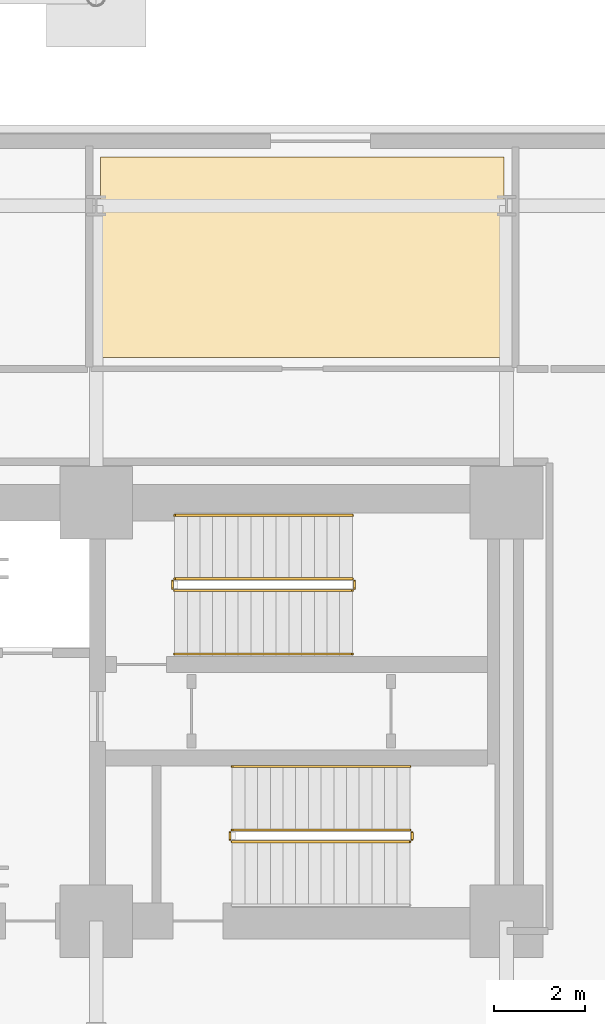
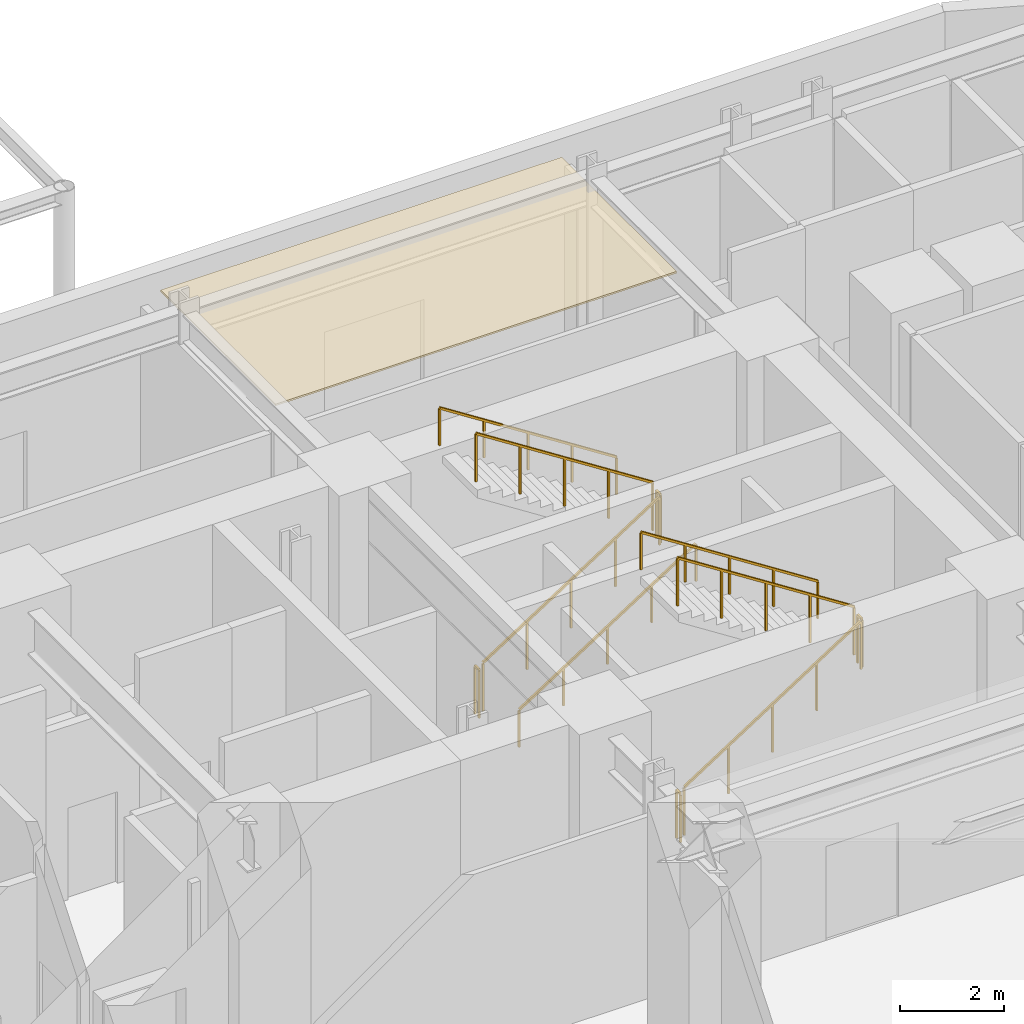
# One storey, part 19 of 21: 11 railings, 1 covering.
"""IFC4 building model written with IfcOpenShell, lengths in metres."""

from ifc_helpers import new_model, si_unit, direction, frame, origin, origin_2d, place, context, subcontext, project, spatial, polyline, rectangle, outline, extrude, material, layer, layer_set, type_object, element, save


model = new_model("IFC4")

# Units and contexts
model_context = context("Model", 3, precision=1e-05, world=origin(), true_north=direction((0.0, 1.0)))
body_context = subcontext(model_context, "Body", "Model", "MODEL_VIEW")
ifc_project = project(units=[si_unit("LENGTHUNIT", "METRE"), si_unit("AREAUNIT", "SQUARE_METRE"), si_unit("VOLUMEUNIT", "CUBIC_METRE"), si_unit("PLANEANGLEUNIT", "RADIAN"), si_unit("MASSUNIT", "GRAM", prefix="KILO")], contexts=[model_context])

# Site, building, storey
site_placement = place(None, origin())
site = spatial("IfcSite", under=ifc_project, at=site_placement, CompositionType="ELEMENT")
building_placement = place(site_placement, origin())
building = spatial("IfcBuilding", under=site, at=building_placement, Name="Zarnavel Station Tower", CompositionType="ELEMENT")
storey_placement = place(building_placement, origin())
storey = spatial("IfcBuildingStorey", under=building, at=storey_placement, Name="L01", CompositionType="ELEMENT", Elevation=0.0)

# Covering
ifc_material_1 = material(Name="Perforated Gypsum and Mineral-Wool Acoustic Ceiling", Category="concrete")
ifc_layer = layer(ifc_material_1, 0.0400390625)
ifc_layer_set = layer_set([ifc_layer], Name="COV_CEIL_ACOUSTIC")
covering_type = type_object("IfcCoveringType", Name="COV_CEIL_ACOUSTIC", PredefinedType="CEILING", material=ifc_layer_set)
covering_placement = place(storey_placement, frame((0.0, 0.0, 4.780029296875)))
element("IfcCovering", 1, at=covering_placement, inside=storey, type_object=covering_type, Name="L01 SEC Acoustic Ceiling", PredefinedType="CEILING", context=body_context, shape_type="SweptSolid", body=[
    extrude(outline(polyline([(36.449951171875, 40.25), (45.35009765625, 40.25), (45.35009765625, 44.669921875), (36.449951171875, 44.669921875), (36.449951171875, 40.25)])), origin(), (0.0, 0.0, 1.0), 0.0400390625),
])

# Railings
ifc_material_2 = material(Name="Painted Steel S355J2 Balustrade", Category="steel")
railing_type_1 = type_object("IfcRailingType", Name="GR_INT_1150", PredefinedType="GUARDRAIL", material=ifc_material_2)
railing_1_placement = place(storey_placement, frame((38.080078125, 35.110107421875, 0.179931640625)))
element("IfcRailing", 2, at=railing_1_placement, inside=storey, type_object=railing_type_1, Name="L01 ST2 stair guard 1", PredefinedType="GUARDRAIL", context=body_context, shape_type="SweptSolid", body=[
    extrude(rectangle(XDim=0.048095703125, YDim=0.048095703125, at=origin_2d()), frame((0.001708984375, 0.0, 1.126953125), z_axis=(0.841171666519, 0.0, 0.540768182723), x_axis=(0.0, 1.0, 0.0)), (0.0, 0.0, 1.0), 4.656005859375),
    extrude(rectangle(XDim=0.0419921875, YDim=0.0419921875, at=origin_2d()), origin(), (0.0, 0.0, 1.0), 1.101806640625),
    extrude(rectangle(XDim=0.0419921875, YDim=0.0419921875, at=origin_2d()), frame((0.97998046875, 0.0, 0.6298828125)), (0.0, 0.0, 1.0), 1.101806640625),
    extrude(rectangle(XDim=0.0419921875, YDim=0.0419921875, at=origin_2d()), frame((1.9599609375, 0.0, 1.260009765625)), (0.0, 0.0, 1.0), 1.101806640625),
    extrude(rectangle(XDim=0.0419921875, YDim=0.0419921875, at=origin_2d()), frame((2.93994140625, 0.0, 1.89013671875)), (0.0, 0.0, 1.0), 1.101806640625),
    extrude(rectangle(XDim=0.0419921875, YDim=0.0419921875, at=origin_2d()), frame((3.919921875, 0.0, 2.52001953125)), (0.0, 0.0, 1.0), 1.101806640625),
])
railing_2_placement = place(storey_placement, frame((42.050048828125, 35.159912109375, 2.699951171875)))
element("IfcRailing", 3, at=railing_2_placement, inside=storey, type_object=railing_type_1, Name="L01 ST2 stair guard 2", PredefinedType="GUARDRAIL", context=body_context, shape_type="SweptSolid", body=[
    extrude(rectangle(XDim=0.048095703125, YDim=0.048095703125, at=origin_2d()), frame((0.0, 0.001953125, 1.1259765625), z_axis=(0.0, 1.0, 0.0), x_axis=(-1.0, 0.0, 0.0)), (0.0, 0.0, 1.0), 0.15625),
    extrude(rectangle(XDim=0.0419921875, YDim=0.0419921875, at=origin_2d()), origin(), (0.0, 0.0, 1.0), 1.101806640625),
    extrude(rectangle(XDim=0.0419921875, YDim=0.0419921875, at=origin_2d()), frame((0.0, 0.16015625, 0.0)), (0.0, 0.0, 1.0), 1.101806640625),
])
railing_3_placement = place(storey_placement, frame((42.0, 35.3701171875, 2.8798828125)))
element("IfcRailing", 4, at=railing_3_placement, inside=storey, type_object=railing_type_1, Name="L01 ST2 stair guard 3", PredefinedType="GUARDRAIL", context=body_context, shape_type="SweptSolid", body=[
    extrude(rectangle(XDim=0.048095703125, YDim=0.048095703125, at=origin_2d()), frame((-0.001708984375, 0.0, 1.126953125), z_axis=(-0.841171666519, 0.0, 0.540768182723), x_axis=(0.0, -1.0, 0.0)), (0.0, 0.0, 1.0), 4.656005859375),
    extrude(rectangle(XDim=0.0419921875, YDim=0.0419921875, at=origin_2d()), origin(), (0.0, 0.0, 1.0), 1.101806640625),
    extrude(rectangle(XDim=0.0419921875, YDim=0.0419921875, at=origin_2d()), frame((-0.97998046875, 0.0, 0.6298828125)), (0.0, 0.0, 1.0), 1.101806640625),
    extrude(rectangle(XDim=0.0419921875, YDim=0.0419921875, at=origin_2d()), frame((-1.9599609375, 0.0, 1.260009765625)), (0.0, 0.0, 1.0), 1.101806640625),
    extrude(rectangle(XDim=0.0419921875, YDim=0.0419921875, at=origin_2d()), frame((-2.93994140625, 0.0, 1.89013671875)), (0.0, 0.0, 1.0), 1.101806640625),
    extrude(rectangle(XDim=0.0419921875, YDim=0.0419921875, at=origin_2d()), frame((-3.919921875, 0.0, 2.52001953125)), (0.0, 0.0, 1.0), 1.101806640625),
])
railing_4_placement = place(storey_placement, frame((38.030029296875, 35.159912109375, 0.0)))
element("IfcRailing", 5, at=railing_4_placement, inside=storey, type_object=railing_type_1, Name="L01 ST2 stair guard 4", PredefinedType="GUARDRAIL", context=body_context, shape_type="SweptSolid", body=[
    extrude(rectangle(XDim=0.048095703125, YDim=0.048095703125, at=origin_2d()), frame((0.0, 0.001953125, 1.1259765625), z_axis=(0.0, 1.0, 0.0), x_axis=(-1.0, 0.0, 0.0)), (0.0, 0.0, 1.0), 0.15625),
    extrude(rectangle(XDim=0.0419921875, YDim=0.0419921875, at=origin_2d()), origin(), (0.0, 0.0, 1.0), 1.101806640625),
    extrude(rectangle(XDim=0.0419921875, YDim=0.0419921875, at=origin_2d()), frame((0.0, 0.16015625, 0.0)), (0.0, 0.0, 1.0), 1.101806640625),
])
railing_5_placement = place(storey_placement, frame((39.35009765625, 29.570068359375, 0.179931640625)))
element("IfcRailing", 6, at=railing_5_placement, inside=storey, type_object=railing_type_1, Name="L01 ST3 stair guard 1", PredefinedType="GUARDRAIL", context=body_context, shape_type="SweptSolid", body=[
    extrude(rectangle(XDim=0.048095703125, YDim=0.048095703125, at=origin_2d()), frame((0.001708984375, 0.0, 1.126953125), z_axis=(0.841171666519, 0.0, 0.540768182723), x_axis=(0.0, 1.0, 0.0)), (0.0, 0.0, 1.0), 4.656005859375),
    extrude(rectangle(XDim=0.0419921875, YDim=0.0419921875, at=origin_2d()), origin(), (0.0, 0.0, 1.0), 1.101806640625),
    extrude(rectangle(XDim=0.0419921875, YDim=0.0419921875, at=origin_2d()), frame((0.97998046875, 0.0, 0.6298828125)), (0.0, 0.0, 1.0), 1.101806640625),
    extrude(rectangle(XDim=0.0419921875, YDim=0.0419921875, at=origin_2d()), frame((1.9599609375, 0.0, 1.260009765625)), (0.0, 0.0, 1.0), 1.101806640625),
    extrude(rectangle(XDim=0.0419921875, YDim=0.0419921875, at=origin_2d()), frame((2.93994140625, 0.0, 1.89013671875)), (0.0, 0.0, 1.0), 1.101806640625),
    extrude(rectangle(XDim=0.0419921875, YDim=0.0419921875, at=origin_2d()), frame((3.919921875, 0.0, 2.52001953125)), (0.0, 0.0, 1.0), 1.101806640625),
])
railing_6_placement = place(storey_placement, frame((43.320068359375, 29.6201171875, 2.699951171875)))
element("IfcRailing", 7, at=railing_6_placement, inside=storey, type_object=railing_type_1, Name="L01 ST3 stair guard 2", PredefinedType="GUARDRAIL", context=body_context, shape_type="SweptSolid", body=[
    extrude(rectangle(XDim=0.048095703125, YDim=0.048095703125, at=origin_2d()), frame((0.0, 0.001953125, 1.1259765625), z_axis=(0.0, 1.0, 0.0), x_axis=(-1.0, 0.0, 0.0)), (0.0, 0.0, 1.0), 0.156005859375),
    extrude(rectangle(XDim=0.0419921875, YDim=0.0419921875, at=origin_2d()), origin(), (0.0, 0.0, 1.0), 1.101806640625),
    extrude(rectangle(XDim=0.0419921875, YDim=0.0419921875, at=origin_2d()), frame((0.0, 0.159912109375, 0.0)), (0.0, 0.0, 1.0), 1.101806640625),
])
railing_7_placement = place(storey_placement, frame((43.27001953125, 29.830078125, 2.8798828125)))
element("IfcRailing", 8, at=railing_7_placement, inside=storey, type_object=railing_type_1, Name="L01 ST3 stair guard 3", PredefinedType="GUARDRAIL", context=body_context, shape_type="SweptSolid", body=[
    extrude(rectangle(XDim=0.048095703125, YDim=0.048095703125, at=origin_2d()), frame((-0.001708984375, 0.0, 1.126953125), z_axis=(-0.841171666519, 0.0, 0.540768182723), x_axis=(0.0, -1.0, 0.0)), (0.0, 0.0, 1.0), 4.656005859375),
    extrude(rectangle(XDim=0.0419921875, YDim=0.0419921875, at=origin_2d()), origin(), (0.0, 0.0, 1.0), 1.101806640625),
    extrude(rectangle(XDim=0.0419921875, YDim=0.0419921875, at=origin_2d()), frame((-0.97998046875, 0.0, 0.6298828125)), (0.0, 0.0, 1.0), 1.101806640625),
    extrude(rectangle(XDim=0.0419921875, YDim=0.0419921875, at=origin_2d()), frame((-1.9599609375, 0.0, 1.260009765625)), (0.0, 0.0, 1.0), 1.101806640625),
    extrude(rectangle(XDim=0.0419921875, YDim=0.0419921875, at=origin_2d()), frame((-2.93994140625, 0.0, 1.89013671875)), (0.0, 0.0, 1.0), 1.101806640625),
    extrude(rectangle(XDim=0.0419921875, YDim=0.0419921875, at=origin_2d()), frame((-3.919921875, 0.0, 2.52001953125)), (0.0, 0.0, 1.0), 1.101806640625),
])
railing_8_placement = place(storey_placement, frame((39.300048828125, 29.6201171875, 0.0)))
element("IfcRailing", 9, at=railing_8_placement, inside=storey, type_object=railing_type_1, Name="L01 ST3 stair guard 4", PredefinedType="GUARDRAIL", context=body_context, shape_type="SweptSolid", body=[
    extrude(rectangle(XDim=0.048095703125, YDim=0.048095703125, at=origin_2d()), frame((0.0, 0.001953125, 1.1259765625), z_axis=(0.0, 1.0, 0.0), x_axis=(-1.0, 0.0, 0.0)), (0.0, 0.0, 1.0), 0.156005859375),
    extrude(rectangle(XDim=0.0419921875, YDim=0.0419921875, at=origin_2d()), origin(), (0.0, 0.0, 1.0), 1.101806640625),
    extrude(rectangle(XDim=0.0419921875, YDim=0.0419921875, at=origin_2d()), frame((0.0, 0.159912109375, 0.0)), (0.0, 0.0, 1.0), 1.101806640625),
])
ifc_material_3 = material(Name="Brushed Stainless Steel S355J2 Handrail", Category="steel")
railing_type_2 = type_object("IfcRailingType", Name="HR_STAIR_900", PredefinedType="HANDRAIL", material=ifc_material_3)
railing_9_placement = place(storey_placement, frame((38.080078125, 33.7099609375, 0.179931640625)))
element("IfcRailing", 10, at=railing_9_placement, inside=storey, type_object=railing_type_2, Name="L01 ST2 stair handrail 1", PredefinedType="HANDRAIL", context=body_context, shape_type="SweptSolid", body=[
    extrude(rectangle(XDim=0.048095703125, YDim=0.048095703125, at=origin_2d()), frame((0.001708984375, 0.0, 0.876953125), z_axis=(0.841171666519, 0.0, 0.540768182723), x_axis=(0.0, 1.0, 0.0)), (0.0, 0.0, 1.0), 4.656005859375),
    extrude(rectangle(XDim=0.0419921875, YDim=0.0419921875, at=origin_2d()), origin(), (0.0, 0.0, 1.0), 0.851806640625),
    extrude(rectangle(XDim=0.0419921875, YDim=0.0419921875, at=origin_2d()), frame((0.97998046875, 0.0, 0.6298828125)), (0.0, 0.0, 1.0), 0.851806640625),
    extrude(rectangle(XDim=0.0419921875, YDim=0.0419921875, at=origin_2d()), frame((1.9599609375, 0.0, 1.260009765625)), (0.0, 0.0, 1.0), 0.851806640625),
    extrude(rectangle(XDim=0.0419921875, YDim=0.0419921875, at=origin_2d()), frame((2.93994140625, 0.0, 1.89013671875)), (0.0, 0.0, 1.0), 0.851806640625),
    extrude(rectangle(XDim=0.0419921875, YDim=0.0419921875, at=origin_2d()), frame((3.919921875, 0.0, 2.52001953125)), (0.0, 0.0, 1.0), 0.851806640625),
])
for number, where, name in (
    (11, (42.0, 36.77001953125, 2.8798828125), "L01 ST2 stair handrail 2"),
    (12, (43.27001953125, 31.22998046875, 2.8798828125), "L01 ST3 stair handrail 2"),
):
    element("IfcRailing", number, at=place(storey_placement, frame(where)), inside=storey, type_object=railing_type_2, Name=name, PredefinedType="HANDRAIL", context=body_context, shape_type="SweptSolid", body=[
        extrude(rectangle(XDim=0.048095703125, YDim=0.048095703125, at=origin_2d()), frame((-0.001708984375, 0.0, 0.876953125), z_axis=(-0.841171666519, 0.0, 0.540768182723), x_axis=(0.0, -1.0, 0.0)), (0.0, 0.0, 1.0), 4.656005859375),
        extrude(rectangle(XDim=0.0419921875, YDim=0.0419921875, at=origin_2d()), origin(), (0.0, 0.0, 1.0), 0.851806640625),
        extrude(rectangle(XDim=0.0419921875, YDim=0.0419921875, at=origin_2d()), frame((-0.97998046875, 0.0, 0.6298828125)), (0.0, 0.0, 1.0), 0.851806640625),
        extrude(rectangle(XDim=0.0419921875, YDim=0.0419921875, at=origin_2d()), frame((-1.9599609375, 0.0, 1.260009765625)), (0.0, 0.0, 1.0), 0.851806640625),
        extrude(rectangle(XDim=0.0419921875, YDim=0.0419921875, at=origin_2d()), frame((-2.93994140625, 0.0, 1.89013671875)), (0.0, 0.0, 1.0), 0.851806640625),
        extrude(rectangle(XDim=0.0419921875, YDim=0.0419921875, at=origin_2d()), frame((-3.919921875, 0.0, 2.52001953125)), (0.0, 0.0, 1.0), 0.851806640625),
    ])

save(model, "model.ifc")
